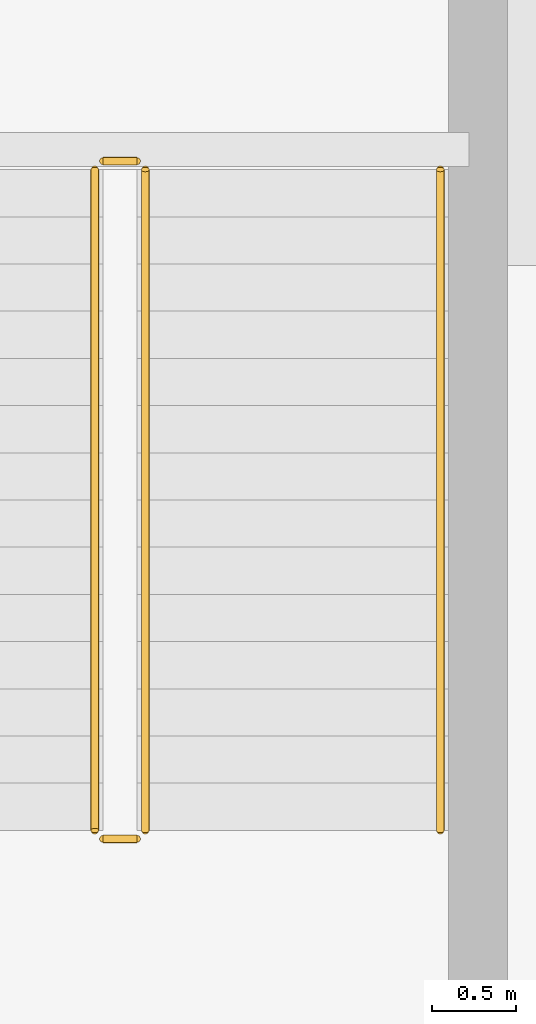
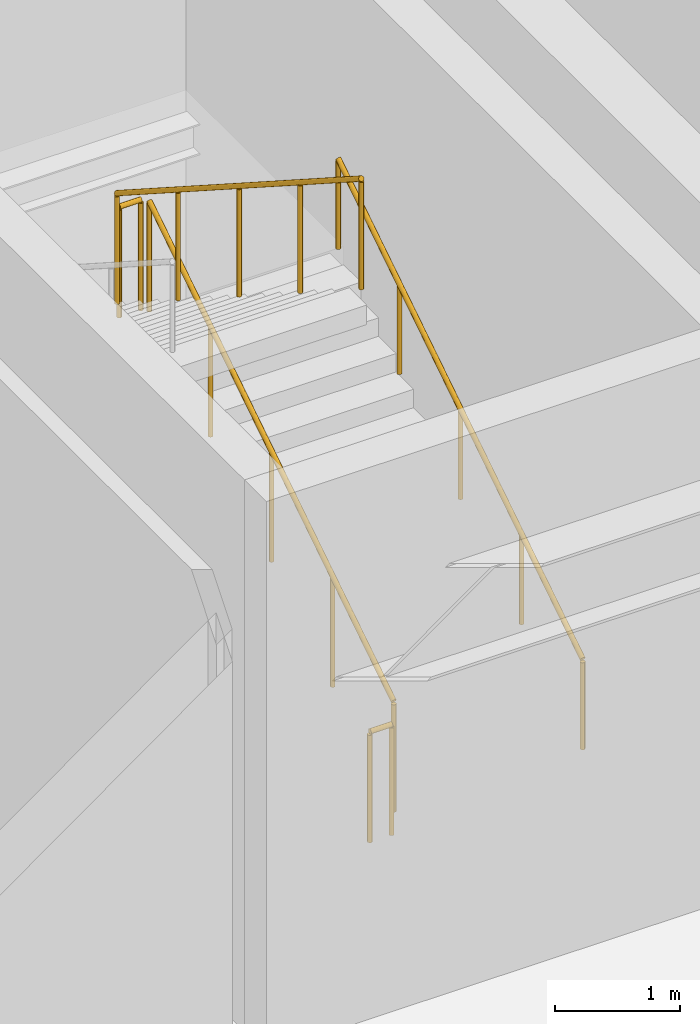
# One storey, part 62 of 69: 5 railings.
"""IFC4 building model written with IfcOpenShell, lengths in metres."""

from ifc_helpers import new_model, si_unit, direction, frame, origin, origin_2d, place, context, subcontext, project, spatial, circle, extrude, material, type_object, element, save


model = new_model("IFC4")

# Units and contexts
model_context = context("Model", 3, precision=1e-05, world=origin(), true_north=direction((0.0, 1.0)))
body_context = subcontext(model_context, "Body", "Model", "MODEL_VIEW")
ifc_project = project(units=[si_unit("LENGTHUNIT", "METRE"), si_unit("AREAUNIT", "SQUARE_METRE"), si_unit("VOLUMEUNIT", "CUBIC_METRE"), si_unit("PLANEANGLEUNIT", "RADIAN"), si_unit("MASSUNIT", "GRAM", prefix="KILO")], contexts=[model_context])

# Site, building, storey
site_placement = place(None, origin())
site = spatial("IfcSite", under=ifc_project, at=site_placement, CompositionType="ELEMENT")
building_placement = place(site_placement, origin())
building = spatial("IfcBuilding", under=site, at=building_placement, Name="Vaelkrest Opera House", CompositionType="ELEMENT")
storey_placement = place(building_placement, frame((0.0, 0.0, -5.39990234375)))
storey = spatial("IfcBuildingStorey", under=building, at=storey_placement, Name="B1", CompositionType="ELEMENT", Elevation=-5.39990234375)

# Railings
ifc_material = material(Name="Dark bronze anodized aluminium", Category="aluminium")
railing_type_1 = type_object("IfcRailingType", Name="GR02", PredefinedType="GUARDRAIL", material=ifc_material)
railing_1_placement = place(storey_placement, frame((26.89990234375, -43.35009765625, 0.179931640625)))
element("IfcRailing", 1, at=railing_1_placement, inside=storey, type_object=railing_type_1, Name="B1 ST04 stair guard 1", PredefinedType="GUARDRAIL", context=body_context, shape_type="SweptSolid", body=[
    extrude(circle(Radius=0.02392578125, at=origin_2d()), frame((0.0, 0.0, 1.076171875), z_axis=(0.0, 0.841186985886, 0.540744352514), x_axis=(-1.0, 0.0, 0.0)), (0.0, 0.0, 1.0), 4.660400390625),
    extrude(circle(Radius=0.02099609375, at=origin_2d()), origin(), (0.0, 0.0, 1.0), 1.052001953125),
    extrude(circle(Radius=0.02099609375, at=origin_2d()), frame((0.0, 0.97998046875, 0.6298828125)), (0.0, 0.0, 1.0), 1.052001953125),
    extrude(circle(Radius=0.02099609375, at=origin_2d()), frame((0.0, 1.9599609375, 1.260009765625)), (0.0, 0.0, 1.0), 1.052001953125),
    extrude(circle(Radius=0.02099609375, at=origin_2d()), frame((0.0, 2.940185546875, 1.89013671875)), (0.0, 0.0, 1.0), 1.052001953125),
    extrude(circle(Radius=0.02099609375, at=origin_2d()), frame((0.0, 3.920166015625, 2.52001953125)), (0.0, 0.0, 1.0), 1.052001953125),
])
railing_2_placement = place(storey_placement, frame((26.85009765625, -39.3798828125, 2.699951171875)))
element("IfcRailing", 2, at=railing_2_placement, inside=storey, type_object=railing_type_1, Name="B1 ST04 stair guard 2", PredefinedType="GUARDRAIL", context=body_context, shape_type="SweptSolid", body=[
    extrude(circle(Radius=0.02392578125, at=origin_2d()), frame((0.0, 0.0, 1.076171875), z_axis=(-1.0, 0.0, 0.0), x_axis=(0.0, -1.0, 0.0)), (0.0, 0.0, 1.0), 0.2001953125),
    extrude(circle(Radius=0.02099609375, at=origin_2d()), origin(), (0.0, 0.0, 1.0), 1.052001953125),
    extrude(circle(Radius=0.02099609375, at=origin_2d()), frame((-0.2001953125, 0.0, 0.0)), (0.0, 0.0, 1.0), 1.052001953125),
])
railing_3_placement = place(storey_placement, frame((26.60009765625, -39.429931640625, 2.8798828125)))
element("IfcRailing", 3, at=railing_3_placement, inside=storey, type_object=railing_type_1, Name="B1 ST04 stair guard 3", PredefinedType="GUARDRAIL", context=body_context, shape_type="SweptSolid", body=[
    extrude(circle(Radius=0.02392578125, at=origin_2d()), frame((0.0, 0.0, 1.076171875), z_axis=(0.0, -0.841186985886, 0.540744352514), x_axis=(1.0, 0.0, 0.0)), (0.0, 0.0, 1.0), 4.660400390625),
    extrude(circle(Radius=0.02099609375, at=origin_2d()), origin(), (0.0, 0.0, 1.0), 1.052001953125),
    extrude(circle(Radius=0.02099609375, at=origin_2d()), frame((0.0, -0.97998046875, 0.6298828125)), (0.0, 0.0, 1.0), 1.052001953125),
    extrude(circle(Radius=0.02099609375, at=origin_2d()), frame((0.0, -1.9599609375, 1.260009765625)), (0.0, 0.0, 1.0), 1.052001953125),
    extrude(circle(Radius=0.02099609375, at=origin_2d()), frame((0.0, -2.940185546875, 1.89013671875)), (0.0, 0.0, 1.0), 1.052001953125),
    extrude(circle(Radius=0.02099609375, at=origin_2d()), frame((0.0, -3.920166015625, 2.52001953125)), (0.0, 0.0, 1.0), 1.052001953125),
])
railing_4_placement = place(storey_placement, frame((26.85009765625, -43.39990234375, 0.0)))
element("IfcRailing", 4, at=railing_4_placement, inside=storey, type_object=railing_type_1, Name="B1 ST04 stair guard 4", PredefinedType="GUARDRAIL", context=body_context, shape_type="SweptSolid", body=[
    extrude(circle(Radius=0.02392578125, at=origin_2d()), frame((0.0, 0.0, 1.076171875), z_axis=(-1.0, 0.0, 0.0), x_axis=(0.0, -1.0, 0.0)), (0.0, 0.0, 1.0), 0.2001953125),
    extrude(circle(Radius=0.02099609375, at=origin_2d()), origin(), (0.0, 0.0, 1.0), 1.052001953125),
    extrude(circle(Radius=0.02099609375, at=origin_2d()), frame((-0.2001953125, 0.0, 0.0)), (0.0, 0.0, 1.0), 1.052001953125),
])
railing_type_2 = type_object("IfcRailingType", Name="HR02", PredefinedType="HANDRAIL", material=ifc_material)
railing_5_placement = place(storey_placement, frame((28.64990234375, -43.35009765625, 0.179931640625)))
element("IfcRailing", 5, at=railing_5_placement, inside=storey, type_object=railing_type_2, Name="B1 ST04 stair handrail 1", PredefinedType="HANDRAIL", context=body_context, shape_type="SweptSolid", body=[
    extrude(circle(Radius=0.02392578125, at=origin_2d()), frame((0.0, 0.0, 0.8759765625), z_axis=(0.0, 0.841186985886, 0.540744352514), x_axis=(-1.0, 0.0, 0.0)), (0.0, 0.0, 1.0), 4.660400390625),
    extrude(circle(Radius=0.02099609375, at=origin_2d()), origin(), (0.0, 0.0, 1.0), 0.851806640625),
    extrude(circle(Radius=0.02099609375, at=origin_2d()), frame((0.0, 0.97998046875, 0.6298828125)), (0.0, 0.0, 1.0), 0.851806640625),
    extrude(circle(Radius=0.02099609375, at=origin_2d()), frame((0.0, 1.9599609375, 1.260009765625)), (0.0, 0.0, 1.0), 0.851806640625),
    extrude(circle(Radius=0.02099609375, at=origin_2d()), frame((0.0, 2.940185546875, 1.89013671875)), (0.0, 0.0, 1.0), 0.851806640625),
    extrude(circle(Radius=0.02099609375, at=origin_2d()), frame((0.0, 3.920166015625, 2.52001953125)), (0.0, 0.0, 1.0), 0.851806640625),
])

save(model, "model.ifc")
